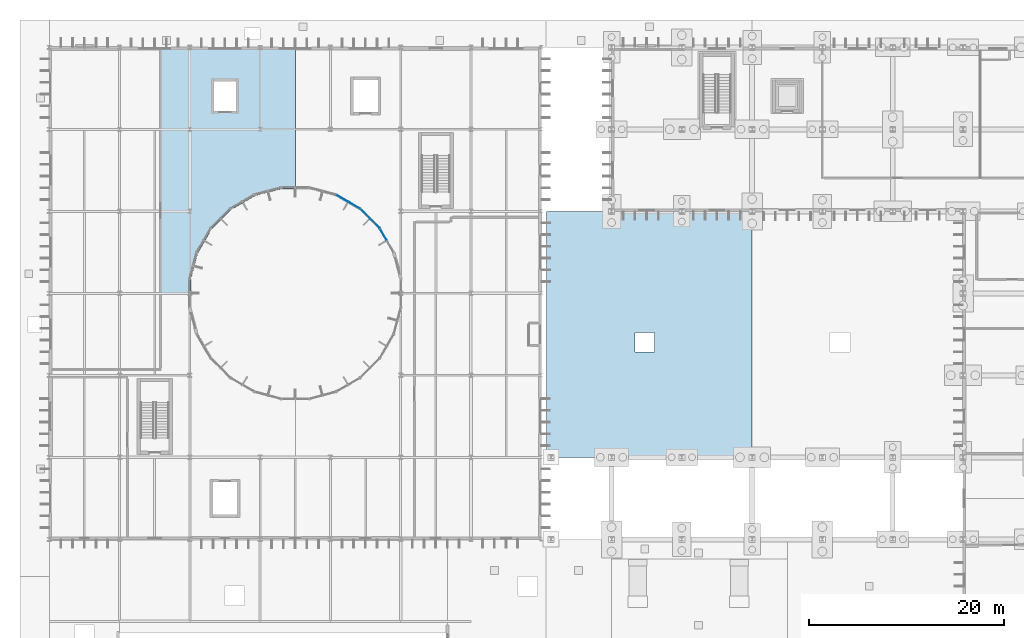
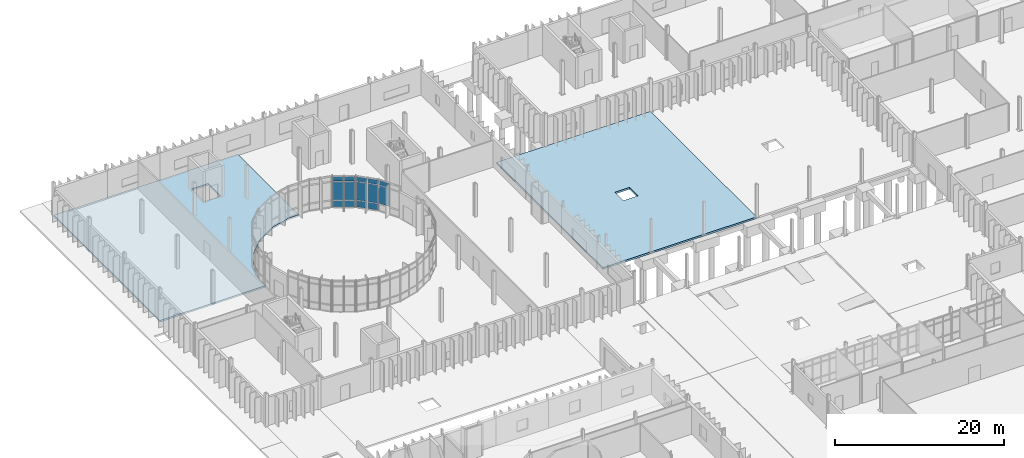
# One storey, part 61 of 118: 14 plates, 2 slabs, 3 elements without a shape of their own.
"""IFC4 building model written with IfcOpenShell, lengths in metres."""

from ifc_helpers import new_model, si_unit, direction, frame, origin, origin_2d, place, context, subcontext, project, spatial, polyline, rectangle, outline, extrude, material, layer, layer_set, type_object, element, aggregate, save


model = new_model("IFC4")

# Units and contexts
model_context = context("Model", 3, precision=1e-05, world=origin(), true_north=direction((0.0, 1.0)))
body_context = subcontext(model_context, "Body", "Model", "MODEL_VIEW")
ifc_project = project(units=[si_unit("LENGTHUNIT", "METRE"), si_unit("AREAUNIT", "SQUARE_METRE"), si_unit("VOLUMEUNIT", "CUBIC_METRE"), si_unit("PLANEANGLEUNIT", "RADIAN"), si_unit("MASSUNIT", "GRAM", prefix="KILO")], contexts=[model_context])

# Site, building, storey
site_placement = place(None, origin())
site = spatial("IfcSite", under=ifc_project, at=site_placement, CompositionType="ELEMENT")
building_placement = place(site_placement, origin())
building = spatial("IfcBuilding", under=site, at=building_placement, Name="Qelthora Terrace Specialist Clinic", CompositionType="ELEMENT")
storey_placement = place(building_placement, origin())
storey = spatial("IfcBuildingStorey", under=building, at=storey_placement, Name="L00", CompositionType="ELEMENT", Elevation=0.0)

# Curtain wall, plates
ifc_material_1 = material(Name="Aluminium anodized bronze", Category="aluminium")
curtain_wall_type = type_object("IfcCurtainWallType", Name="CW-CRTW-L00", PredefinedType="NOTDEFINED", material=ifc_material_1)
curtain_wall_1_placement = place(storey_placement, origin())
curtain_wall_1 = element("IfcCurtainWall", 1, at=curtain_wall_1_placement, inside=storey, type_object=curtain_wall_type, Name="Curtain wall CW-CW-L00-02", PredefinedType="NOTDEFINED")
ifc_material_2 = material(Name="Low-E triple-silver insulating glass", Category="glass")
ifc_layer_1 = layer(ifc_material_2, 0.035888671875)
ifc_layer_set_1 = layer_set([ifc_layer_1], Name="Low-E triple-silver insulating glass")
plate_type = type_object("IfcPlateType", Name="CWP-IGU-36", PredefinedType="CURTAIN_PANEL", material=ifc_layer_set_1)
plate_1_placement = place(storey_placement, frame((34.224609375, 90.024169921875, 1.094970703125), z_axis=(0.0, 0.0, 1.0), x_axis=(-0.5, 0.866025403784, 0.0)))
plate_1 = element("IfcPlate", 2, at=plate_1_placement, type_object=plate_type, Name="CW-CW-L00-02 glazed panel 5", PredefinedType="CURTAIN_PANEL", context=body_context, shape_type="SweptSolid", body=[
    extrude(rectangle(XDim=1.3095703125, YDim=0.035888671875, at=origin_2d()), origin(), (0.0, 0.0, 1.0), 2.60498046875),
])
plate_2_placement = place(storey_placement, frame((34.224609375, 90.024169921875, 3.7900390625), z_axis=(0.0, 0.0, 1.0), x_axis=(-0.5, 0.866025403784, 0.0)))
plate_2 = element("IfcPlate", 3, at=plate_2_placement, type_object=plate_type, Name="CW-CW-L00-02 glazed panel 6", PredefinedType="CURTAIN_PANEL", context=body_context, shape_type="SweptSolid", body=[
    extrude(rectangle(XDim=1.3095703125, YDim=0.035888671875, at=origin_2d()), origin(), (0.0, 0.0, 1.0), 0.669921875),
])
aggregate(curtain_wall_1, [plate_1, plate_2])

curtain_wall_2_placement = place(storey_placement, origin())
curtain_wall_2 = element("IfcCurtainWall", 4, at=curtain_wall_2_placement, inside=storey, type_object=curtain_wall_type, Name="Curtain wall CW-CW-L00-03", PredefinedType="NOTDEFINED")
plate_3_placement = place(storey_placement, frame((33.354736328125, 91.157958984375, 0.0849609375), z_axis=(0.0, 0.0, 1.0), x_axis=(-0.707106781187, 0.707106781187, 0.0)))
plate_3 = element("IfcPlate", 5, at=plate_3_placement, type_object=plate_type, Name="CW-CW-L00-03 glazed panel 1", PredefinedType="CURTAIN_PANEL", context=body_context, shape_type="SweptSolid", body=[
    extrude(rectangle(XDim=1.3095703125, YDim=0.035888671875, at=origin_2d()), origin(), (0.0, 0.0, 1.0), 0.919921875),
])
plate_4_placement = place(storey_placement, frame((33.354736328125, 91.157958984375, 1.094970703125), z_axis=(0.0, 0.0, 1.0), x_axis=(-0.707106781187, 0.707106781187, 0.0)))
plate_4 = element("IfcPlate", 6, at=plate_4_placement, type_object=plate_type, Name="CW-CW-L00-03 glazed panel 2", PredefinedType="CURTAIN_PANEL", context=body_context, shape_type="SweptSolid", body=[
    extrude(rectangle(XDim=1.3095703125, YDim=0.035888671875, at=origin_2d()), origin(), (0.0, 0.0, 1.0), 2.60498046875),
])
plate_5_placement = place(storey_placement, frame((33.354736328125, 91.157958984375, 3.7900390625), z_axis=(0.0, 0.0, 1.0), x_axis=(-0.707106781187, 0.707106781187, 0.0)))
plate_5 = element("IfcPlate", 7, at=plate_5_placement, type_object=plate_type, Name="CW-CW-L00-03 glazed panel 3", PredefinedType="CURTAIN_PANEL", context=body_context, shape_type="SweptSolid", body=[
    extrude(rectangle(XDim=1.3095703125, YDim=0.035888671875, at=origin_2d()), origin(), (0.0, 0.0, 1.0), 0.669921875),
])
plate_6_placement = place(storey_placement, frame((32.35791015625, 92.15478515625, 0.0849609375), z_axis=(0.0, 0.0, 1.0), x_axis=(-0.707106781187, 0.707106781187, 0.0)))
plate_6 = element("IfcPlate", 8, at=plate_6_placement, type_object=plate_type, Name="CW-CW-L00-03 glazed panel 4", PredefinedType="CURTAIN_PANEL", context=body_context, shape_type="SweptSolid", body=[
    extrude(rectangle(XDim=1.3095703125, YDim=0.035888671875, at=origin_2d()), origin(), (0.0, 0.0, 1.0), 0.919921875),
])
plate_7_placement = place(storey_placement, frame((32.35791015625, 92.15478515625, 1.094970703125), z_axis=(0.0, 0.0, 1.0), x_axis=(-0.707106781187, 0.707106781187, 0.0)))
plate_7 = element("IfcPlate", 9, at=plate_7_placement, type_object=plate_type, Name="CW-CW-L00-03 glazed panel 5", PredefinedType="CURTAIN_PANEL", context=body_context, shape_type="SweptSolid", body=[
    extrude(rectangle(XDim=1.3095703125, YDim=0.035888671875, at=origin_2d()), origin(), (0.0, 0.0, 1.0), 2.60498046875),
])
plate_8_placement = place(storey_placement, frame((32.35791015625, 92.15478515625, 3.7900390625), z_axis=(0.0, 0.0, 1.0), x_axis=(-0.707106781187, 0.707106781187, 0.0)))
plate_8 = element("IfcPlate", 10, at=plate_8_placement, type_object=plate_type, Name="CW-CW-L00-03 glazed panel 6", PredefinedType="CURTAIN_PANEL", context=body_context, shape_type="SweptSolid", body=[
    extrude(rectangle(XDim=1.3095703125, YDim=0.035888671875, at=origin_2d()), origin(), (0.0, 0.0, 1.0), 0.669921875),
])
aggregate(curtain_wall_2, [plate_3, plate_4, plate_5, plate_6, plate_7, plate_8])

curtain_wall_3_placement = place(storey_placement, origin())
curtain_wall_3 = element("IfcCurtainWall", 11, at=curtain_wall_3_placement, inside=storey, type_object=curtain_wall_type, Name="Curtain wall CW-CW-L00-04", PredefinedType="NOTDEFINED")
plate_9_placement = place(storey_placement, frame((31.22412109375, 93.024658203125, 0.0849609375), z_axis=(0.0, 0.0, 1.0), x_axis=(-0.866025403784, 0.5, 0.0)))
plate_9 = element("IfcPlate", 12, at=plate_9_placement, type_object=plate_type, Name="CW-CW-L00-04 glazed panel 1", PredefinedType="CURTAIN_PANEL", context=body_context, shape_type="SweptSolid", body=[
    extrude(rectangle(XDim=1.3095703125, YDim=0.035888671875, at=origin_2d()), origin(), (0.0, 0.0, 1.0), 0.919921875),
])
plate_10_placement = place(storey_placement, frame((31.22412109375, 93.024658203125, 1.094970703125), z_axis=(0.0, 0.0, 1.0), x_axis=(-0.866025403784, 0.5, 0.0)))
plate_10 = element("IfcPlate", 13, at=plate_10_placement, type_object=plate_type, Name="CW-CW-L00-04 glazed panel 2", PredefinedType="CURTAIN_PANEL", context=body_context, shape_type="SweptSolid", body=[
    extrude(rectangle(XDim=1.3095703125, YDim=0.035888671875, at=origin_2d()), origin(), (0.0, 0.0, 1.0), 2.60498046875),
])
plate_11_placement = place(storey_placement, frame((31.22412109375, 93.024658203125, 3.7900390625), z_axis=(0.0, 0.0, 1.0), x_axis=(-0.866025403784, 0.5, 0.0)))
plate_11 = element("IfcPlate", 14, at=plate_11_placement, type_object=plate_type, Name="CW-CW-L00-04 glazed panel 3", PredefinedType="CURTAIN_PANEL", context=body_context, shape_type="SweptSolid", body=[
    extrude(rectangle(XDim=1.3095703125, YDim=0.035888671875, at=origin_2d()), origin(), (0.0, 0.0, 1.0), 0.669921875),
])
plate_12_placement = place(storey_placement, frame((30.00341796875, 93.7294921875, 0.0849609375), z_axis=(0.0, 0.0, 1.0), x_axis=(-0.866025403784, 0.5, 0.0)))
plate_12 = element("IfcPlate", 15, at=plate_12_placement, type_object=plate_type, Name="CW-CW-L00-04 glazed panel 4", PredefinedType="CURTAIN_PANEL", context=body_context, shape_type="SweptSolid", body=[
    extrude(rectangle(XDim=1.3095703125, YDim=0.035888671875, at=origin_2d()), origin(), (0.0, 0.0, 1.0), 0.919921875),
])
plate_13_placement = place(storey_placement, frame((30.00341796875, 93.7294921875, 1.094970703125), z_axis=(0.0, 0.0, 1.0), x_axis=(-0.866025403784, 0.5, 0.0)))
plate_13 = element("IfcPlate", 16, at=plate_13_placement, type_object=plate_type, Name="CW-CW-L00-04 glazed panel 5", PredefinedType="CURTAIN_PANEL", context=body_context, shape_type="SweptSolid", body=[
    extrude(rectangle(XDim=1.3095703125, YDim=0.035888671875, at=origin_2d()), origin(), (0.0, 0.0, 1.0), 2.60498046875),
])
plate_14_placement = place(storey_placement, frame((30.00341796875, 93.7294921875, 3.7900390625), z_axis=(0.0, 0.0, 1.0), x_axis=(-0.866025403784, 0.5, 0.0)))
plate_14 = element("IfcPlate", 17, at=plate_14_placement, type_object=plate_type, Name="CW-CW-L00-04 glazed panel 6", PredefinedType="CURTAIN_PANEL", context=body_context, shape_type="SweptSolid", body=[
    extrude(rectangle(XDim=1.3095703125, YDim=0.035888671875, at=origin_2d()), origin(), (0.0, 0.0, 1.0), 0.669921875),
])
aggregate(curtain_wall_3, [plate_9, plate_10, plate_11, plate_12, plate_13, plate_14])

# Slabs
ifc_material_3 = material(Name="Concrete C30/37", Category="concrete")
ifc_layer_2 = layer(ifc_material_3, 0.239990234375)
ifc_layer_set_2 = layer_set([ifc_layer_2], Name="Concrete C30/37")
slab_type_1 = type_object("IfcSlabType", Name="SLB-IMG-240-C30", PredefinedType="FLOOR", material=ifc_layer_set_2)
slab_1_placement = place(storey_placement, frame((0.0, 0.0, -0.239990234375)))
element("IfcSlab", 18, at=slab_1_placement, inside=storey, type_object=slab_type_1, Name="L00 V5 slab SLB-L00-V5-3A", PredefinedType="FLOOR", context=body_context, shape_type="SweptSolid", body=[
    extrude(outline(polyline([(0.0, 109.199951171875), (25.199951171875, 109.199951171875), (25.199951171875, 94.70751953125), (23.790283203125, 94.70751953125), (21.067138671875, 93.977783203125), (18.62548828125, 92.568115234375), (16.6318359375, 90.57470703125), (15.22216796875, 88.133056640625), (14.492431640625, 85.40966796875), (14.492431640625, 84.0), (0.0, 84.0), (0.0, 109.199951171875)]), holes=[polyline([(19.14990234375, 102.699951171875), (19.14990234375, 105.699951171875), (16.85009765625, 105.699951171875), (16.85009765625, 102.699951171875), (19.14990234375, 102.699951171875)])]), origin(), (0.0, 0.0, 1.0), 0.239990234375),
])
ifc_layer_3 = layer(ifc_material_3, 0.25)
ifc_layer_set_3 = layer_set([ifc_layer_3], Name="Concrete C30/37")
slab_type_2 = type_object("IfcSlabType", Name="SLB-TERR-250-C30", PredefinedType="FLOOR", material=ifc_layer_set_3)
slab_2_placement = place(storey_placement, frame((0.0, 0.0, -0.25)))
element("IfcSlab", 19, at=slab_2_placement, inside=storey, type_object=slab_type_2, Name="L00 V1 slab SLB-L00-CRT1A", PredefinedType="FLOOR", context=body_context, shape_type="SweptSolid", body=[
    extrude(outline(polyline([(50.949951171875, 67.199951171875), (50.949951171875, 92.39990234375), (72.0, 92.39990234375), (72.0, 67.199951171875), (50.949951171875, 67.199951171875)]), holes=[polyline([(60.0, 78.0), (62.0, 78.0), (62.0, 80.0), (60.0, 80.0), (60.0, 78.0)])]), origin(), (0.0, 0.0, 1.0), 0.25),
])

save(model, "model.ifc")
